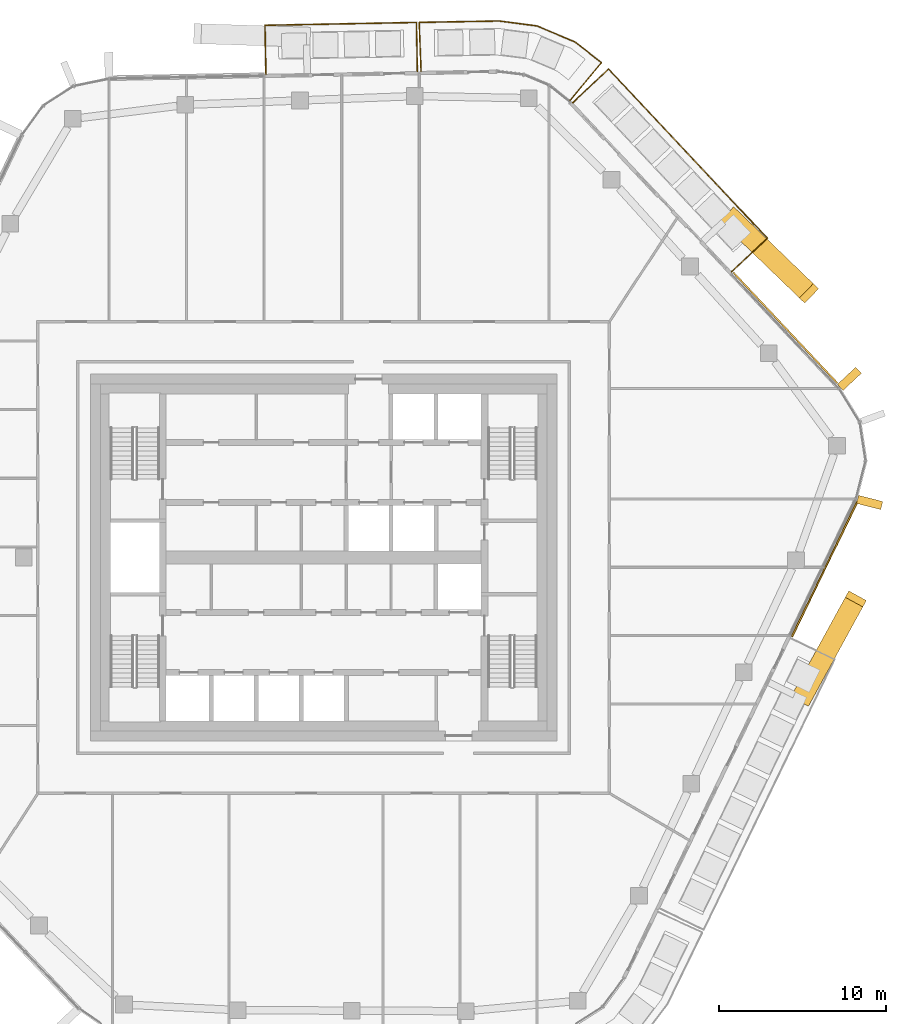
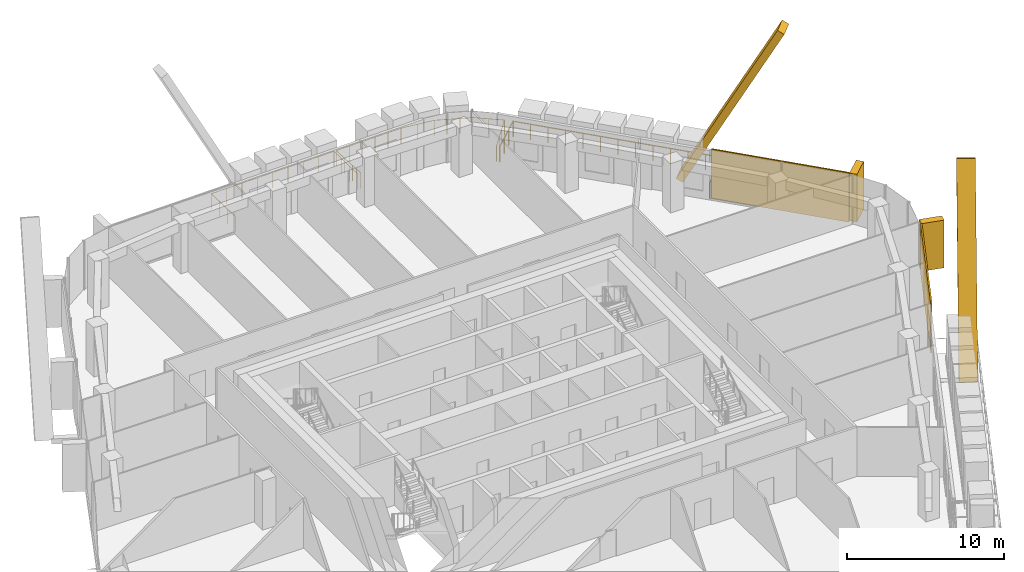
# One storey, part 24 of 24: 6 coverings, 3 railings, 3 elements without a shape of their own.
"""IFC4 building model written with IfcOpenShell, lengths in metres."""

from ifc_helpers import new_model, si_unit, direction, frame, origin, origin_2d, place, context, subcontext, project, spatial, rectangle, circle, extrude, material, layer, layer_set, material_profile, profile_set, type_object, element, aggregate, save


model = new_model("IFC4")

# Units and contexts
model_context = context("Model", 3, precision=1e-05, world=origin(), true_north=direction((0.0, 1.0)))
body_context = subcontext(model_context, "Body", "Model", "MODEL_VIEW")
ifc_project = project(units=[si_unit("LENGTHUNIT", "METRE"), si_unit("AREAUNIT", "SQUARE_METRE"), si_unit("VOLUMEUNIT", "CUBIC_METRE"), si_unit("PLANEANGLEUNIT", "RADIAN"), si_unit("MASSUNIT", "GRAM", prefix="KILO")], contexts=[model_context])

# Site, building, storey
site_placement = place(None, origin())
site = spatial("IfcSite", under=ifc_project, at=site_placement, CompositionType="ELEMENT")
building_placement = place(site_placement, origin())
building = spatial("IfcBuilding", under=site, at=building_placement, Name="Dongbaek Canopy Tower", CompositionType="ELEMENT")
storey_placement = place(building_placement, frame((0.0, 0.0, 298.39990234375)))
storey = spatial("IfcBuildingStorey", under=building, at=storey_placement, Name="L63", CompositionType="ELEMENT", Elevation=298.39990234375)

# Railings
ifc_material_1 = material(Name="Stainless steel", Category="steel")
railing_type = type_object("IfcRailingType", Name="Balcony balustrade 1200", PredefinedType="BALUSTRADE", material=ifc_material_1)
railing_1_placement = place(storey_placement, frame((24.47998046875, 17.14892578125, 0.0)))
element("IfcRailing", 1, at=railing_1_placement, inside=storey, type_object=railing_type, Name="Balcony guard L63 1", PredefinedType="BALUSTRADE", context=body_context, shape_type="SweptSolid", body=[
    extrude(circle(Radius=0.02392578125, at=origin_2d()), frame((0.0, 0.0, 1.17578125), z_axis=(0.728728771938, 0.684802436437, 0.0), x_axis=(-0.684802436437, 0.728728771938, 0.0)), (0.0, 0.0, 1.0), 2.940185546875),
    extrude(circle(Radius=0.02392578125, at=origin_2d()), frame((2.142578125, 2.013427734375, 1.17578125), z_axis=(-0.684839226649, 0.728694197618, 0.0), x_axis=(-0.728694197618, -0.684839226649, 0.0)), (0.0, 0.0, 1.0), 13.91748046875),
    extrude(circle(Radius=0.02392578125, at=origin_2d()), frame((-7.388671875, 12.155029296875, 1.17578125), z_axis=(-0.728731270037, -0.684799778088, 0.0), x_axis=(0.684799778088, -0.728731270037, 0.0)), (0.0, 0.0, 1.0), 2.939697265625),
    extrude(circle(Radius=0.02099609375, at=origin_2d()), origin(), (0.0, 0.0, 1.0), 1.15185546875),
    extrude(circle(Radius=0.02099609375, at=origin_2d()), frame((0.714111328125, 0.671142578125, 0.0)), (0.0, 0.0, 1.0), 1.15185546875),
    extrude(circle(Radius=0.02099609375, at=origin_2d()), frame((1.428466796875, 1.34228515625, 0.0)), (0.0, 0.0, 1.0), 1.15185546875),
    extrude(circle(Radius=0.02099609375, at=origin_2d()), frame((2.142578125, 2.013427734375, 0.0)), (0.0, 0.0, 1.0), 1.15185546875),
    extrude(circle(Radius=0.02099609375, at=origin_2d()), frame((1.348388671875, 2.858642578125, 0.0)), (0.0, 0.0, 1.0), 1.15185546875),
    extrude(circle(Radius=0.02099609375, at=origin_2d()), frame((0.553955078125, 3.70361328125, 0.0)), (0.0, 0.0, 1.0), 1.15185546875),
    extrude(circle(Radius=0.02099609375, at=origin_2d()), frame((-0.240234375, 4.548828125, 0.0)), (0.0, 0.0, 1.0), 1.15185546875),
    extrude(circle(Radius=0.02099609375, at=origin_2d()), frame((-1.034423828125, 5.39404296875, 0.0)), (0.0, 0.0, 1.0), 1.15185546875),
    extrude(circle(Radius=0.02099609375, at=origin_2d()), frame((-1.828857421875, 6.239013671875, 0.0)), (0.0, 0.0, 1.0), 1.15185546875),
    extrude(circle(Radius=0.02099609375, at=origin_2d()), frame((-2.623046875, 7.084228515625, 0.0)), (0.0, 0.0, 1.0), 1.15185546875),
    extrude(circle(Radius=0.02099609375, at=origin_2d()), frame((-3.417236328125, 7.929443359375, 0.0)), (0.0, 0.0, 1.0), 1.15185546875),
    extrude(circle(Radius=0.02099609375, at=origin_2d()), frame((-4.211669921875, 8.7744140625, 0.0)), (0.0, 0.0, 1.0), 1.15185546875),
    extrude(circle(Radius=0.02099609375, at=origin_2d()), frame((-5.005859375, 9.61962890625, 0.0)), (0.0, 0.0, 1.0), 1.15185546875),
    extrude(circle(Radius=0.02099609375, at=origin_2d()), frame((-5.800048828125, 10.46484375, 0.0)), (0.0, 0.0, 1.0), 1.15185546875),
    extrude(circle(Radius=0.02099609375, at=origin_2d()), frame((-6.594482421875, 11.309814453125, 0.0)), (0.0, 0.0, 1.0), 1.15185546875),
    extrude(circle(Radius=0.02099609375, at=origin_2d()), frame((-7.388671875, 12.155029296875, 0.0)), (0.0, 0.0, 1.0), 1.15185546875),
    extrude(circle(Radius=0.02099609375, at=origin_2d()), frame((-8.102783203125, 11.48388671875, 0.0)), (0.0, 0.0, 1.0), 1.15185546875),
    extrude(circle(Radius=0.02099609375, at=origin_2d()), frame((-8.81689453125, 10.81298828125, 0.0)), (0.0, 0.0, 1.0), 1.15185546875),
    extrude(circle(Radius=0.02099609375, at=origin_2d()), frame((-9.531005859375, 10.141845703125, 0.0)), (0.0, 0.0, 1.0), 1.15185546875),
])
railing_2_placement = place(storey_placement, frame((5.623046875, 29.170654296875, 0.0)))
element("IfcRailing", 2, at=railing_2_placement, inside=storey, type_object=railing_type, Name="Balcony guard L63 2", PredefinedType="BALUSTRADE", context=body_context, shape_type="SweptSolid", body=[
    extrude(circle(Radius=0.02392578125, at=origin_2d()), frame((0.0, 0.0, 1.17578125), z_axis=(-0.018933482557, 0.999820745553, 0.0), x_axis=(-0.999820745553, -0.018933482557, 0.0)), (0.0, 0.0, 1.0), 2.93994140625),
    extrude(circle(Radius=0.02392578125, at=origin_2d()), frame((-0.0556640625, 2.939453125, 1.17578125), z_axis=(-0.999821282881, -0.018905086569, 0.0), x_axis=(0.018905086569, -0.999821282881, 0.0)), (0.0, 0.0, 1.0), 9.091552734375),
    extrude(circle(Radius=0.02392578125, at=origin_2d()), frame((-9.1455078125, 2.767578125, 1.17578125), z_axis=(0.018933482557, -0.999820745553, 0.0), x_axis=(0.999820745553, 0.018933482557, 0.0)), (0.0, 0.0, 1.0), 2.93994140625),
    extrude(circle(Radius=0.02099609375, at=origin_2d()), origin(), (0.0, 0.0, 1.0), 1.15185546875),
    extrude(circle(Radius=0.02099609375, at=origin_2d()), frame((-0.0185546875, 0.979736328125, 0.0)), (0.0, 0.0, 1.0), 1.15185546875),
    extrude(circle(Radius=0.02099609375, at=origin_2d()), frame((-0.037109375, 1.959716796875, 0.0)), (0.0, 0.0, 1.0), 1.15185546875),
    extrude(circle(Radius=0.02099609375, at=origin_2d()), frame((-0.0556640625, 2.939453125, 0.0)), (0.0, 0.0, 1.0), 1.15185546875),
    extrude(circle(Radius=0.02099609375, at=origin_2d()), frame((-1.19189453125, 2.91796875, 0.0)), (0.0, 0.0, 1.0), 1.15185546875),
    extrude(circle(Radius=0.02099609375, at=origin_2d()), frame((-2.328125, 2.896484375, 0.0)), (0.0, 0.0, 1.0), 1.15185546875),
    extrude(circle(Radius=0.02099609375, at=origin_2d()), frame((-3.46435546875, 2.875, 0.0)), (0.0, 0.0, 1.0), 1.15185546875),
    extrude(circle(Radius=0.02099609375, at=origin_2d()), frame((-4.6005859375, 2.853515625, 0.0)), (0.0, 0.0, 1.0), 1.15185546875),
    extrude(circle(Radius=0.02099609375, at=origin_2d()), frame((-5.73681640625, 2.83203125, 0.0)), (0.0, 0.0, 1.0), 1.15185546875),
    extrude(circle(Radius=0.02099609375, at=origin_2d()), frame((-6.873046875, 2.810546875, 0.0)), (0.0, 0.0, 1.0), 1.15185546875),
    extrude(circle(Radius=0.02099609375, at=origin_2d()), frame((-8.00927734375, 2.7890625, 0.0)), (0.0, 0.0, 1.0), 1.15185546875),
    extrude(circle(Radius=0.02099609375, at=origin_2d()), frame((-9.1455078125, 2.767578125, 0.0)), (0.0, 0.0, 1.0), 1.15185546875),
    extrude(circle(Radius=0.02099609375, at=origin_2d()), frame((-9.126953125, 1.787841796875, 0.0)), (0.0, 0.0, 1.0), 1.15185546875),
    extrude(circle(Radius=0.02099609375, at=origin_2d()), frame((-9.1083984375, 0.807861328125, 0.0)), (0.0, 0.0, 1.0), 1.15185546875),
    extrude(circle(Radius=0.02099609375, at=origin_2d()), frame((-9.08984375, -0.171875, 0.0)), (0.0, 0.0, 1.0), 1.15185546875),
])
railing_3_placement = place(storey_placement, frame((14.787841796875, 27.439697265625, 0.0)))
element("IfcRailing", 3, at=railing_3_placement, inside=storey, type_object=railing_type, Name="Balcony guard L63 6", PredefinedType="BALUSTRADE", context=body_context, shape_type="SweptSolid", body=[
    extrude(circle(Radius=0.02392578125, at=origin_2d()), frame((0.0, 0.0, 1.17578125), z_axis=(0.642411003092, 0.766360295883, 0.0), x_axis=(-0.766360295883, 0.642411003092, 0.0)), (0.0, 0.0, 1.0), 2.940673828125),
    extrude(circle(Radius=0.02392578125, at=origin_2d()), frame((1.88916015625, 2.253662109375, 1.17578125), z_axis=(-0.788090218585, 0.615559751259, 0.0), x_axis=(-0.615559751259, -0.788090218585, 0.0)), (0.0, 0.0, 1.0), 2.0234375),
    extrude(circle(Radius=0.02392578125, at=origin_2d()), frame((0.29443359375, 3.499267578125, 1.17578125), z_axis=(-0.921550156042, 0.388259333306, 0.0), x_axis=(-0.388259333306, -0.921550156042, 0.0)), (0.0, 0.0, 1.0), 2.481201171875),
    extrude(circle(Radius=0.02392578125, at=origin_2d()), frame((-1.9921875, 4.462646484375, 1.17578125), z_axis=(-0.991597422728, 0.129362093518, 0.0), x_axis=(-0.129362093518, -0.991597422728, 0.0)), (0.0, 0.0, 1.0), 2.27783203125),
    extrude(circle(Radius=0.02392578125, at=origin_2d()), frame((-4.2509765625, 4.75732421875, 1.17578125), z_axis=(-0.999848444694, -0.017409412484, 0.0), x_axis=(0.017409412484, -0.999848444694, 0.0)), (0.0, 0.0, 1.0), 4.81005859375),
    extrude(circle(Radius=0.02392578125, at=origin_2d()), frame((-9.060302734375, 4.673583984375, 1.17578125), z_axis=(0.039268459081, -0.999228696606, 0.0), x_axis=(0.999228696606, 0.039268459081, 0.0)), (0.0, 0.0, 1.0), 2.940673828125),
    extrude(circle(Radius=0.02099609375, at=origin_2d()), origin(), (0.0, 0.0, 1.0), 1.15185546875),
    extrude(circle(Radius=0.02099609375, at=origin_2d()), frame((0.629638671875, 0.751220703125, 0.0)), (0.0, 0.0, 1.0), 1.15185546875),
    extrude(circle(Radius=0.02099609375, at=origin_2d()), frame((1.259521484375, 1.50244140625, 0.0)), (0.0, 0.0, 1.0), 1.15185546875),
    extrude(circle(Radius=0.02099609375, at=origin_2d()), frame((1.88916015625, 2.253662109375, 0.0)), (0.0, 0.0, 1.0), 1.15185546875),
    extrude(circle(Radius=0.02099609375, at=origin_2d()), frame((1.091796875, 2.87646484375, 0.0)), (0.0, 0.0, 1.0), 1.15185546875),
    extrude(circle(Radius=0.02099609375, at=origin_2d()), frame((0.29443359375, 3.499267578125, 0.0)), (0.0, 0.0, 1.0), 1.15185546875),
    extrude(circle(Radius=0.02099609375, at=origin_2d()), frame((-0.4677734375, 3.8203125, 0.0)), (0.0, 0.0, 1.0), 1.15185546875),
    extrude(circle(Radius=0.02099609375, at=origin_2d()), frame((-1.22998046875, 4.1416015625, 0.0)), (0.0, 0.0, 1.0), 1.15185546875),
    extrude(circle(Radius=0.02099609375, at=origin_2d()), frame((-1.9921875, 4.462646484375, 0.0)), (0.0, 0.0, 1.0), 1.15185546875),
    extrude(circle(Radius=0.02099609375, at=origin_2d()), frame((-3.12158203125, 4.60986328125, 0.0)), (0.0, 0.0, 1.0), 1.15185546875),
    extrude(circle(Radius=0.02099609375, at=origin_2d()), frame((-4.2509765625, 4.75732421875, 0.0)), (0.0, 0.0, 1.0), 1.15185546875),
    extrude(circle(Radius=0.02099609375, at=origin_2d()), frame((-5.212890625, 4.740478515625, 0.0)), (0.0, 0.0, 1.0), 1.15185546875),
    extrude(circle(Radius=0.02099609375, at=origin_2d()), frame((-6.1748046875, 4.723876953125, 0.0)), (0.0, 0.0, 1.0), 1.15185546875),
    extrude(circle(Radius=0.02099609375, at=origin_2d()), frame((-7.136474609375, 4.70703125, 0.0)), (0.0, 0.0, 1.0), 1.15185546875),
    extrude(circle(Radius=0.02099609375, at=origin_2d()), frame((-8.098388671875, 4.6904296875, 0.0)), (0.0, 0.0, 1.0), 1.15185546875),
    extrude(circle(Radius=0.02099609375, at=origin_2d()), frame((-9.060302734375, 4.673583984375, 0.0)), (0.0, 0.0, 1.0), 1.15185546875),
    extrude(circle(Radius=0.02099609375, at=origin_2d()), frame((-9.021728515625, 3.694091796875, 0.0)), (0.0, 0.0, 1.0), 1.15185546875),
    extrude(circle(Radius=0.02099609375, at=origin_2d()), frame((-8.9833984375, 2.714599609375, 0.0)), (0.0, 0.0, 1.0), 1.15185546875),
    extrude(circle(Radius=0.02099609375, at=origin_2d()), frame((-8.94482421875, 1.735107421875, 0.0)), (0.0, 0.0, 1.0), 1.15185546875),
])

# Curtain wall, covering
ifc_material_2 = material(Name="Aluminium 6063-T6 pale anodised", Category="aluminium")
ifc_layer_1 = layer(ifc_material_2, 0.199951171875)
ifc_layer_set_1 = layer_set([ifc_layer_1], Name="CW-1 unitised tower curtain wall")
curtain_wall_type = type_object("IfcCurtainWallType", Name="CW-1 unitised tower curtain wall", PredefinedType="NOTDEFINED", material=ifc_layer_set_1)
curtain_wall_1_placement = place(storey_placement, origin())
curtain_wall_1 = element("IfcCurtainWall", 4, at=curtain_wall_1_placement, inside=storey, type_object=curtain_wall_type, Name="CW-1 curtain wall F5.1", PredefinedType="NOTDEFINED")
ifc_material_3 = material(Name="Aluminium 6063-T6 pale metal fin", Category="aluminium")
ifc_material_profile_1 = material_profile(ifc_material_3, rectangle(XDim=1.199951171875, YDim=0.5, at=origin_2d()), Name="Crease fin CF1 500 x 1200 pale metal")
ifc_profile_set_1 = profile_set([ifc_material_profile_1], Name="Aluminium 6063-T6 pale metal fin")
covering_type_1 = type_object("IfcCoveringType", Name="Crease fin CF1 500 x 1200 pale metal", PredefinedType="CLADDING", material=ifc_profile_set_1)
covering_1_placement = place(storey_placement, frame((28.671630859375, -8.451416015625, -0.18994140625), z_axis=(0.2279952909, 0.4166187228, 0.880026696833), x_axis=(-0.877232002484, 0.48006667643, 0.0)))
covering_1 = element("IfcCovering", 5, at=covering_1_placement, type_object=covering_type_1, Name="Crease fin L63 L66 F5", PredefinedType="CLADDING", context=body_context, shape_type="SweptSolid", body=[
    extrude(rectangle(XDim=1.199951171875, YDim=0.5, at=origin_2d()), origin(), (0.0, 0.0, 1.0), 14.31787109375),
])

curtain_wall_2_placement = place(storey_placement, origin())
curtain_wall_2 = element("IfcCurtainWall", 6, at=curtain_wall_2_placement, inside=storey, type_object=curtain_wall_type, Name="CW-1 curtain wall F0.1", PredefinedType="NOTDEFINED")
covering_2_placement = place(storey_placement, frame((24.34814453125, 20.4619140625, -0.18994140625), z_axis=(0.335553627339, -0.323846873114, 0.884605542575), x_axis=(0.694443634447, 0.719547106572, 0.0)))
covering_2 = element("IfcCovering", 7, at=covering_2_placement, type_object=covering_type_1, Name="Crease fin L63 L66 F0", PredefinedType="CLADDING", context=body_context, shape_type="SweptSolid", body=[
    extrude(rectangle(XDim=1.199951171875, YDim=0.5, at=origin_2d()), origin(), (0.0, 0.0, 1.0), 14.24365234375),
])

# Covering
ifc_material_4 = material(Name="Perforated aluminium 6063-T6 pale metal screen", Category="aluminium")
ifc_layer_2 = layer(ifc_material_4, 0.10009765625)
ifc_layer_set_2 = layer_set([ifc_layer_2], Name="Facet screen FS1 100 pale metal")
covering_type_2 = type_object("IfcCoveringType", Name="Facet screen FS1 100 pale metal", PredefinedType="CLADDING", material=ifc_layer_set_2)
covering_3_placement = place(storey_placement, frame((30.062255859375, -0.708251953125, 0.0), z_axis=(0.0, 0.0, 1.0), x_axis=(0.435862675975, 0.900013181955, 0.0)))
covering_3 = element("IfcCovering", 8, at=covering_3_placement, type_object=covering_type_2, Name="Facet screen L63 F5", PredefinedType="CLADDING", context=body_context, shape_type="SweptSolid", body=[
    extrude(rectangle(XDim=8.993896484375, YDim=0.10009765625, at=origin_2d()), origin(), (0.0, 0.0, 1.0), 3.820068359375),
])

aggregate(curtain_wall_1, [covering_1, covering_3])

covering_4_placement = place(storey_placement, frame((27.71337890625, 13.775634765625, 0.0), z_axis=(0.0, 0.0, 1.0), x_axis=(-0.684830774803, 0.728702140715, 0.0)))
covering_4 = element("IfcCovering", 9, at=covering_4_placement, type_object=covering_type_2, Name="Facet screen L63 F0", PredefinedType="CLADDING", context=body_context, shape_type="SweptSolid", body=[
    extrude(rectangle(XDim=9.125, YDim=0.10009765625, at=origin_2d()), origin(), (0.0, 0.0, 1.0), 3.820068359375),
])

# Curtain wall, covering
curtain_wall_3_placement = place(storey_placement, origin())
curtain_wall_3 = element("IfcCurtainWall", 10, at=curtain_wall_3_placement, inside=storey, type_object=curtain_wall_type, Name="CW-1 curtain wall K0.1", PredefinedType="NOTDEFINED")
ifc_material_5 = material(Name="Aluminium 6063-T6 pale metal fin", Category="aluminium")
ifc_material_profile_2 = material_profile(ifc_material_5, rectangle(XDim=1.5, YDim=0.5, at=origin_2d()), Name="Fin FN1 500 x 1500 pale metal")
ifc_profile_set_2 = profile_set([ifc_material_profile_2], Name="Aluminium 6063-T6 pale metal fin")
covering_type_3 = type_object("IfcCoveringType", Name="Fin FN1 500 x 1500 pale metal", PredefinedType="CLADDING", material=ifc_profile_set_2)
covering_5_placement = place(storey_placement, frame((32.766845703125, 3.30078125, 0.1201171875), z_axis=(0.0, 0.0, 1.0), x_axis=(0.968887047372, -0.247503311967, 0.0)))
covering_5 = element("IfcCovering", 11, at=covering_5_placement, type_object=covering_type_3, Name="Fin K0.1.1", PredefinedType="CLADDING", context=body_context, shape_type="SweptSolid", body=[
    extrude(rectangle(XDim=1.5, YDim=0.5, at=origin_2d()), origin(), (0.0, 0.0, 1.0), 3.699951171875),
])
aggregate(curtain_wall_3, [covering_5])

# Covering
covering_6_placement = place(storey_placement, frame((31.549560546875, 10.7216796875, 0.1201171875), z_axis=(0.0, 0.0, 1.0), x_axis=(0.728702280393, 0.684830626177, 0.0)))
covering_6 = element("IfcCovering", 12, at=covering_6_placement, type_object=covering_type_3, Name="Fin F0.1.1", PredefinedType="CLADDING", context=body_context, shape_type="SweptSolid", body=[
    extrude(rectangle(XDim=1.5, YDim=0.5, at=origin_2d()), origin(), (0.0, 0.0, 1.0), 3.699951171875),
])

aggregate(curtain_wall_2, [covering_6, covering_2, covering_4])

save(model, "model.ifc")
